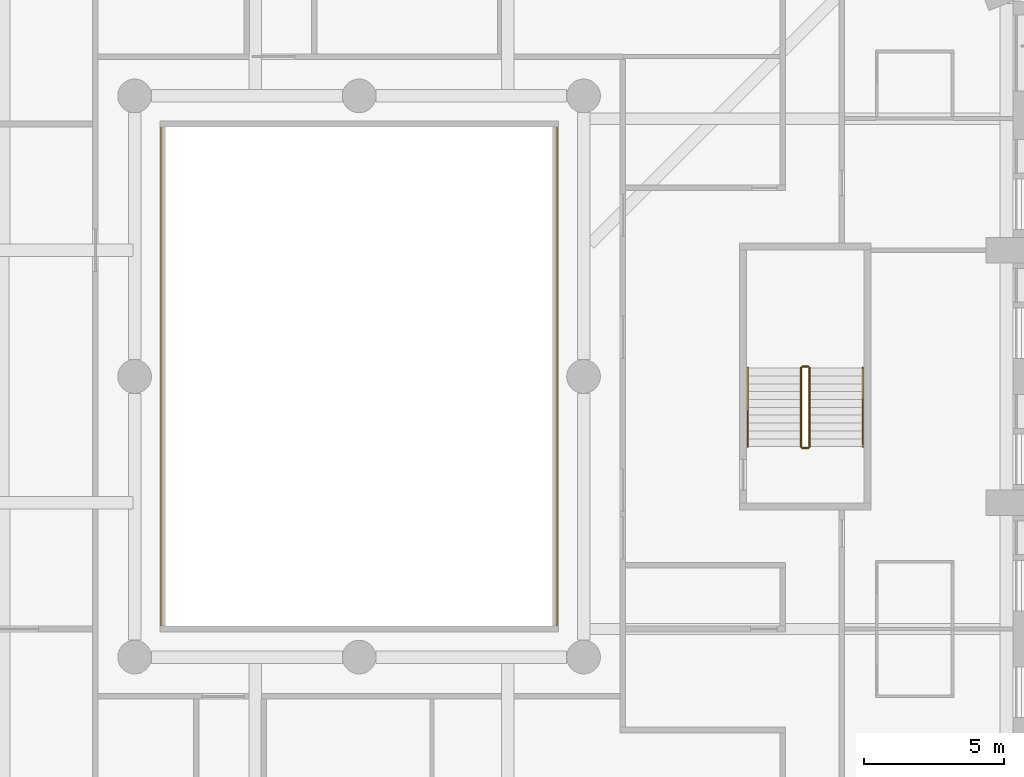
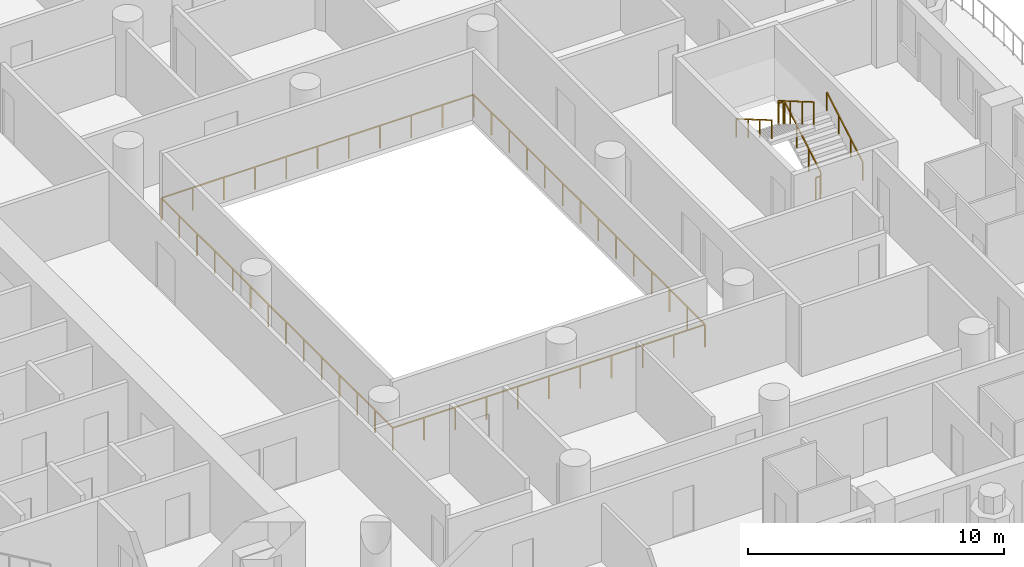
# One storey, part 15 of 20: 7 railings.
"""IFC4 building model written with IfcOpenShell, lengths in metres."""

from ifc_helpers import new_model, si_unit, direction, frame, origin, origin_2d, place, context, subcontext, project, spatial, rectangle, extrude, material, type_object, element, save


model = new_model("IFC4")

# Units and contexts
model_context = context("Model", 3, precision=1e-05, world=origin(), true_north=direction((0.0, 1.0)))
body_context = subcontext(model_context, "Body", "Model", "MODEL_VIEW")
ifc_project = project(units=[si_unit("LENGTHUNIT", "METRE"), si_unit("AREAUNIT", "SQUARE_METRE"), si_unit("VOLUMEUNIT", "CUBIC_METRE"), si_unit("PLANEANGLEUNIT", "RADIAN"), si_unit("MASSUNIT", "GRAM", prefix="KILO")], contexts=[model_context])

# Site, building, storey
site_placement = place(None, origin())
site = spatial("IfcSite", under=ifc_project, at=site_placement, CompositionType="ELEMENT")
building_placement = place(site_placement, origin())
building = spatial("IfcBuilding", under=site, at=building_placement, Name="Cypress Arch Tower", CompositionType="ELEMENT")
storey_placement = place(building_placement, frame((0.0, 0.0, 73.5)))
storey = spatial("IfcBuildingStorey", under=building, at=storey_placement, Name="L12", CompositionType="ELEMENT", Elevation=73.5)

# Railings
ifc_material_1 = material(Name="Stainless steel posts and handrail, laminated glass infill", Category="steel")
railing_type_1 = type_object("IfcRailingType", Name="Atrium guard GR1100A", PredefinedType="GUARDRAIL", material=ifc_material_1)
railing_1_placement = place(storey_placement, frame((8.050048828125, -9.050048828125, 0.0)))
element("IfcRailing", 1, at=railing_1_placement, inside=storey, type_object=railing_type_1, Name="Atrium guard L12", PredefinedType="GUARDRAIL", context=body_context, shape_type="SweptSolid", body=[
    extrude(rectangle(XDim=0.050048828125, YDim=0.050048828125, at=origin_2d()), frame((0.0, 0.0, 1.0751953125), z_axis=(-1.0, 0.0, 0.0), x_axis=(0.0, -1.0, 0.0)), (0.0, 0.0, 1.0), 14.10009765625),
    extrude(rectangle(XDim=0.050048828125, YDim=0.050048828125, at=origin_2d()), frame((-14.10009765625, 0.0, 1.0751953125), z_axis=(0.0, 1.0, 0.0), x_axis=(-1.0, 0.0, 0.0)), (0.0, 0.0, 1.0), 18.10009765625),
    extrude(rectangle(XDim=0.050048828125, YDim=0.050048828125, at=origin_2d()), frame((-14.10009765625, 18.10009765625, 1.0751953125), z_axis=(1.0, 0.0, 0.0), x_axis=(0.0, 1.0, 0.0)), (0.0, 0.0, 1.0), 14.10009765625),
    extrude(rectangle(XDim=0.050048828125, YDim=0.050048828125, at=origin_2d()), frame((0.0, 18.10009765625, 1.0751953125), z_axis=(0.0, -1.0, 0.0), x_axis=(1.0, 0.0, 0.0)), (0.0, 0.0, 1.0), 18.10009765625),
    extrude(rectangle(XDim=0.050048828125, YDim=0.050048828125, at=origin_2d()), origin(), (0.0, 0.0, 1.0), 1.050048828125),
    extrude(rectangle(XDim=0.050048828125, YDim=0.050048828125, at=origin_2d()), frame((-1.409912109375, 0.0, 0.0)), (0.0, 0.0, 1.0), 1.050048828125),
    extrude(rectangle(XDim=0.050048828125, YDim=0.050048828125, at=origin_2d()), frame((-2.820068359375, 0.0, 0.0)), (0.0, 0.0, 1.0), 1.050048828125),
    extrude(rectangle(XDim=0.050048828125, YDim=0.050048828125, at=origin_2d()), frame((-4.22998046875, 0.0, 0.0)), (0.0, 0.0, 1.0), 1.050048828125),
    extrude(rectangle(XDim=0.050048828125, YDim=0.050048828125, at=origin_2d()), frame((-5.64013671875, 0.0, 0.0)), (0.0, 0.0, 1.0), 1.050048828125),
    extrude(rectangle(XDim=0.050048828125, YDim=0.050048828125, at=origin_2d()), frame((-7.050048828125, 0.0, 0.0)), (0.0, 0.0, 1.0), 1.050048828125),
    extrude(rectangle(XDim=0.050048828125, YDim=0.050048828125, at=origin_2d()), frame((-8.4599609375, 0.0, 0.0)), (0.0, 0.0, 1.0), 1.050048828125),
    extrude(rectangle(XDim=0.050048828125, YDim=0.050048828125, at=origin_2d()), frame((-9.8701171875, 0.0, 0.0)), (0.0, 0.0, 1.0), 1.050048828125),
    extrude(rectangle(XDim=0.050048828125, YDim=0.050048828125, at=origin_2d()), frame((-11.280029296875, 0.0, 0.0)), (0.0, 0.0, 1.0), 1.050048828125),
    extrude(rectangle(XDim=0.050048828125, YDim=0.050048828125, at=origin_2d()), frame((-12.690185546875, 0.0, 0.0)), (0.0, 0.0, 1.0), 1.050048828125),
    extrude(rectangle(XDim=0.050048828125, YDim=0.050048828125, at=origin_2d()), frame((-14.10009765625, 0.0, 0.0)), (0.0, 0.0, 1.0), 1.050048828125),
    extrude(rectangle(XDim=0.050048828125, YDim=0.050048828125, at=origin_2d()), frame((-14.10009765625, 1.392333984375, 0.0)), (0.0, 0.0, 1.0), 1.050048828125),
    extrude(rectangle(XDim=0.050048828125, YDim=0.050048828125, at=origin_2d()), frame((-14.10009765625, 2.78466796875, 0.0)), (0.0, 0.0, 1.0), 1.050048828125),
    extrude(rectangle(XDim=0.050048828125, YDim=0.050048828125, at=origin_2d()), frame((-14.10009765625, 4.177001953125, 0.0)), (0.0, 0.0, 1.0), 1.050048828125),
    extrude(rectangle(XDim=0.050048828125, YDim=0.050048828125, at=origin_2d()), frame((-14.10009765625, 5.5693359375, 0.0)), (0.0, 0.0, 1.0), 1.050048828125),
    extrude(rectangle(XDim=0.050048828125, YDim=0.050048828125, at=origin_2d()), frame((-14.10009765625, 6.961669921875, 0.0)), (0.0, 0.0, 1.0), 1.050048828125),
    extrude(rectangle(XDim=0.050048828125, YDim=0.050048828125, at=origin_2d()), frame((-14.10009765625, 8.35400390625, 0.0)), (0.0, 0.0, 1.0), 1.050048828125),
    extrude(rectangle(XDim=0.050048828125, YDim=0.050048828125, at=origin_2d()), frame((-14.10009765625, 9.74609375, 0.0)), (0.0, 0.0, 1.0), 1.050048828125),
    extrude(rectangle(XDim=0.050048828125, YDim=0.050048828125, at=origin_2d()), frame((-14.10009765625, 11.138427734375, 0.0)), (0.0, 0.0, 1.0), 1.050048828125),
    extrude(rectangle(XDim=0.050048828125, YDim=0.050048828125, at=origin_2d()), frame((-14.10009765625, 12.53076171875, 0.0)), (0.0, 0.0, 1.0), 1.050048828125),
    extrude(rectangle(XDim=0.050048828125, YDim=0.050048828125, at=origin_2d()), frame((-14.10009765625, 13.923095703125, 0.0)), (0.0, 0.0, 1.0), 1.050048828125),
    extrude(rectangle(XDim=0.050048828125, YDim=0.050048828125, at=origin_2d()), frame((-14.10009765625, 15.3154296875, 0.0)), (0.0, 0.0, 1.0), 1.050048828125),
    extrude(rectangle(XDim=0.050048828125, YDim=0.050048828125, at=origin_2d()), frame((-14.10009765625, 16.707763671875, 0.0)), (0.0, 0.0, 1.0), 1.050048828125),
    extrude(rectangle(XDim=0.050048828125, YDim=0.050048828125, at=origin_2d()), frame((-14.10009765625, 18.10009765625, 0.0)), (0.0, 0.0, 1.0), 1.050048828125),
    extrude(rectangle(XDim=0.050048828125, YDim=0.050048828125, at=origin_2d()), frame((-12.690185546875, 18.10009765625, 0.0)), (0.0, 0.0, 1.0), 1.050048828125),
    extrude(rectangle(XDim=0.050048828125, YDim=0.050048828125, at=origin_2d()), frame((-11.280029296875, 18.10009765625, 0.0)), (0.0, 0.0, 1.0), 1.050048828125),
    extrude(rectangle(XDim=0.050048828125, YDim=0.050048828125, at=origin_2d()), frame((-9.8701171875, 18.10009765625, 0.0)), (0.0, 0.0, 1.0), 1.050048828125),
    extrude(rectangle(XDim=0.050048828125, YDim=0.050048828125, at=origin_2d()), frame((-8.4599609375, 18.10009765625, 0.0)), (0.0, 0.0, 1.0), 1.050048828125),
    extrude(rectangle(XDim=0.050048828125, YDim=0.050048828125, at=origin_2d()), frame((-7.050048828125, 18.10009765625, 0.0)), (0.0, 0.0, 1.0), 1.050048828125),
    extrude(rectangle(XDim=0.050048828125, YDim=0.050048828125, at=origin_2d()), frame((-5.64013671875, 18.10009765625, 0.0)), (0.0, 0.0, 1.0), 1.050048828125),
    extrude(rectangle(XDim=0.050048828125, YDim=0.050048828125, at=origin_2d()), frame((-4.22998046875, 18.10009765625, 0.0)), (0.0, 0.0, 1.0), 1.050048828125),
    extrude(rectangle(XDim=0.050048828125, YDim=0.050048828125, at=origin_2d()), frame((-2.820068359375, 18.10009765625, 0.0)), (0.0, 0.0, 1.0), 1.050048828125),
    extrude(rectangle(XDim=0.050048828125, YDim=0.050048828125, at=origin_2d()), frame((-1.409912109375, 18.10009765625, 0.0)), (0.0, 0.0, 1.0), 1.050048828125),
    extrude(rectangle(XDim=0.050048828125, YDim=0.050048828125, at=origin_2d()), frame((0.0, 18.10009765625, 0.0)), (0.0, 0.0, 1.0), 1.050048828125),
    extrude(rectangle(XDim=0.050048828125, YDim=0.050048828125, at=origin_2d()), frame((0.0, 16.707763671875, 0.0)), (0.0, 0.0, 1.0), 1.050048828125),
    extrude(rectangle(XDim=0.050048828125, YDim=0.050048828125, at=origin_2d()), frame((0.0, 15.3154296875, 0.0)), (0.0, 0.0, 1.0), 1.050048828125),
    extrude(rectangle(XDim=0.050048828125, YDim=0.050048828125, at=origin_2d()), frame((0.0, 13.923095703125, 0.0)), (0.0, 0.0, 1.0), 1.050048828125),
    extrude(rectangle(XDim=0.050048828125, YDim=0.050048828125, at=origin_2d()), frame((0.0, 12.53076171875, 0.0)), (0.0, 0.0, 1.0), 1.050048828125),
    extrude(rectangle(XDim=0.050048828125, YDim=0.050048828125, at=origin_2d()), frame((0.0, 11.138427734375, 0.0)), (0.0, 0.0, 1.0), 1.050048828125),
    extrude(rectangle(XDim=0.050048828125, YDim=0.050048828125, at=origin_2d()), frame((0.0, 9.74609375, 0.0)), (0.0, 0.0, 1.0), 1.050048828125),
    extrude(rectangle(XDim=0.050048828125, YDim=0.050048828125, at=origin_2d()), frame((0.0, 8.35400390625, 0.0)), (0.0, 0.0, 1.0), 1.050048828125),
    extrude(rectangle(XDim=0.050048828125, YDim=0.050048828125, at=origin_2d()), frame((0.0, 6.961669921875, 0.0)), (0.0, 0.0, 1.0), 1.050048828125),
    extrude(rectangle(XDim=0.050048828125, YDim=0.050048828125, at=origin_2d()), frame((0.0, 5.5693359375, 0.0)), (0.0, 0.0, 1.0), 1.050048828125),
    extrude(rectangle(XDim=0.050048828125, YDim=0.050048828125, at=origin_2d()), frame((0.0, 4.177001953125, 0.0)), (0.0, 0.0, 1.0), 1.050048828125),
    extrude(rectangle(XDim=0.050048828125, YDim=0.050048828125, at=origin_2d()), frame((0.0, 2.78466796875, 0.0)), (0.0, 0.0, 1.0), 1.050048828125),
    extrude(rectangle(XDim=0.050048828125, YDim=0.050048828125, at=origin_2d()), frame((0.0, 1.392333984375, 0.0)), (0.0, 0.0, 1.0), 1.050048828125),
])
ifc_material_2 = material(Name="Black powder-coated steel square bar 48 mm", Category="steel")
railing_type_2 = type_object("IfcRailingType", Name="Stair handrail HR1", PredefinedType="HANDRAIL", material=ifc_material_2)
railing_2_placement = place(storey_placement, frame((18.949951171875, -2.5, 0.16357421875)))
element("IfcRailing", 2, at=railing_2_placement, inside=storey, type_object=railing_type_2, Name="L12 C stair handrail 1", PredefinedType="HANDRAIL", context=body_context, shape_type="SweptSolid", body=[
    extrude(rectangle(XDim=0.048095703125, YDim=0.048095703125, at=origin_2d()), frame((0.0, 0.0, 0.8759765625), z_axis=(0.0, 0.863360870873, 0.504586966384), x_axis=(-1.0, 0.0, 0.0)), (0.0, 0.0, 1.0), 3.2431640625),
    extrude(rectangle(XDim=0.0419921875, YDim=0.0419921875, at=origin_2d()), origin(), (0.0, 0.0, 1.0), 0.851806640625),
    extrude(rectangle(XDim=0.0419921875, YDim=0.0419921875, at=origin_2d()), frame((0.0, 0.933349609375, 0.54541015625)), (0.0, 0.0, 1.0), 0.851806640625),
    extrude(rectangle(XDim=0.0419921875, YDim=0.0419921875, at=origin_2d()), frame((0.0, 1.86669921875, 1.091064453125)), (0.0, 0.0, 1.0), 0.851806640625),
    extrude(rectangle(XDim=0.0419921875, YDim=0.0419921875, at=origin_2d()), frame((0.0, 2.800048828125, 1.636474609375)), (0.0, 0.0, 1.0), 0.851806640625),
])
railing_3_placement = place(storey_placement, frame((14.85009765625, 0.300048828125, 1.963623046875)))
element("IfcRailing", 3, at=railing_3_placement, inside=storey, type_object=railing_type_2, Name="L12 C stair handrail 2", PredefinedType="HANDRAIL", context=body_context, shape_type="SweptSolid", body=[
    extrude(rectangle(XDim=0.048095703125, YDim=0.048095703125, at=origin_2d()), frame((0.0, 0.0, 0.8759765625), z_axis=(0.0, -0.863360870873, 0.504586966384), x_axis=(1.0, 0.0, 0.0)), (0.0, 0.0, 1.0), 3.2431640625),
    extrude(rectangle(XDim=0.0419921875, YDim=0.0419921875, at=origin_2d()), origin(), (0.0, 0.0, 1.0), 0.851806640625),
    extrude(rectangle(XDim=0.0419921875, YDim=0.0419921875, at=origin_2d()), frame((0.0, -0.933349609375, 0.54541015625)), (0.0, 0.0, 1.0), 0.851806640625),
    extrude(rectangle(XDim=0.0419921875, YDim=0.0419921875, at=origin_2d()), frame((0.0, -1.86669921875, 1.091064453125)), (0.0, 0.0, 1.0), 0.851806640625),
    extrude(rectangle(XDim=0.0419921875, YDim=0.0419921875, at=origin_2d()), frame((0.0, -2.800048828125, 1.636474609375)), (0.0, 0.0, 1.0), 0.851806640625),
])
ifc_material_3 = material(Name="Black powder-coated steel balusters", Category="steel")
railing_type_3 = type_object("IfcRailingType", Name="Stair well guard G1", PredefinedType="GUARDRAIL", material=ifc_material_3)
railing_4_placement = place(storey_placement, frame((17.050048828125, -2.5, 0.16357421875)))
element("IfcRailing", 4, at=railing_4_placement, inside=storey, type_object=railing_type_3, Name="L12 C stair guard 1", PredefinedType="GUARDRAIL", context=body_context, shape_type="SweptSolid", body=[
    extrude(rectangle(XDim=0.048095703125, YDim=0.048095703125, at=origin_2d()), frame((0.0, 0.0, 1.076171875), z_axis=(0.0, 0.863360870873, 0.504586966384), x_axis=(-1.0, 0.0, 0.0)), (0.0, 0.0, 1.0), 3.2431640625),
    extrude(rectangle(XDim=0.0419921875, YDim=0.0419921875, at=origin_2d()), origin(), (0.0, 0.0, 1.0), 1.052001953125),
    extrude(rectangle(XDim=0.0419921875, YDim=0.0419921875, at=origin_2d()), frame((0.0, 0.933349609375, 0.54541015625)), (0.0, 0.0, 1.0), 1.052001953125),
    extrude(rectangle(XDim=0.0419921875, YDim=0.0419921875, at=origin_2d()), frame((0.0, 1.86669921875, 1.091064453125)), (0.0, 0.0, 1.0), 1.052001953125),
    extrude(rectangle(XDim=0.0419921875, YDim=0.0419921875, at=origin_2d()), frame((0.0, 2.800048828125, 1.636474609375)), (0.0, 0.0, 1.0), 1.052001953125),
])
railing_5_placement = place(storey_placement, frame((17.0, 0.35009765625, 1.800048828125)))
element("IfcRailing", 5, at=railing_5_placement, inside=storey, type_object=railing_type_3, Name="L12 C stair guard 2", PredefinedType="GUARDRAIL", context=body_context, shape_type="SweptSolid", body=[
    extrude(rectangle(XDim=0.048095703125, YDim=0.048095703125, at=origin_2d()), frame((0.0, 0.0, 1.076171875), z_axis=(-1.0, 0.0, 0.0), x_axis=(0.0, -1.0, 0.0)), (0.0, 0.0, 1.0), 0.199951171875),
    extrude(rectangle(XDim=0.0419921875, YDim=0.0419921875, at=origin_2d()), origin(), (0.0, 0.0, 1.0), 1.052001953125),
    extrude(rectangle(XDim=0.0419921875, YDim=0.0419921875, at=origin_2d()), frame((-0.199951171875, 0.0, 0.0)), (0.0, 0.0, 1.0), 1.052001953125),
])
railing_6_placement = place(storey_placement, frame((16.75, 0.300048828125, 1.963623046875)))
element("IfcRailing", 6, at=railing_6_placement, inside=storey, type_object=railing_type_3, Name="L12 C stair guard 3", PredefinedType="GUARDRAIL", context=body_context, shape_type="SweptSolid", body=[
    extrude(rectangle(XDim=0.048095703125, YDim=0.048095703125, at=origin_2d()), frame((0.0, 0.0, 1.076171875), z_axis=(0.0, -0.863360870873, 0.504586966384), x_axis=(1.0, 0.0, 0.0)), (0.0, 0.0, 1.0), 3.2431640625),
    extrude(rectangle(XDim=0.0419921875, YDim=0.0419921875, at=origin_2d()), origin(), (0.0, 0.0, 1.0), 1.052001953125),
    extrude(rectangle(XDim=0.0419921875, YDim=0.0419921875, at=origin_2d()), frame((0.0, -0.933349609375, 0.54541015625)), (0.0, 0.0, 1.0), 1.052001953125),
    extrude(rectangle(XDim=0.0419921875, YDim=0.0419921875, at=origin_2d()), frame((0.0, -1.86669921875, 1.091064453125)), (0.0, 0.0, 1.0), 1.052001953125),
    extrude(rectangle(XDim=0.0419921875, YDim=0.0419921875, at=origin_2d()), frame((0.0, -2.800048828125, 1.636474609375)), (0.0, 0.0, 1.0), 1.052001953125),
])
railing_7_placement = place(storey_placement, frame((17.0, -2.550048828125, 0.0)))
element("IfcRailing", 7, at=railing_7_placement, inside=storey, type_object=railing_type_3, Name="L12 C stair guard 4", PredefinedType="GUARDRAIL", context=body_context, shape_type="SweptSolid", body=[
    extrude(rectangle(XDim=0.048095703125, YDim=0.048095703125, at=origin_2d()), frame((0.0, 0.0, 1.076171875), z_axis=(-1.0, 0.0, 0.0), x_axis=(0.0, -1.0, 0.0)), (0.0, 0.0, 1.0), 0.199951171875),
    extrude(rectangle(XDim=0.0419921875, YDim=0.0419921875, at=origin_2d()), origin(), (0.0, 0.0, 1.0), 1.052001953125),
    extrude(rectangle(XDim=0.0419921875, YDim=0.0419921875, at=origin_2d()), frame((-0.199951171875, 0.0, 0.0)), (0.0, 0.0, 1.0), 1.052001953125),
])

save(model, "model.ifc")
